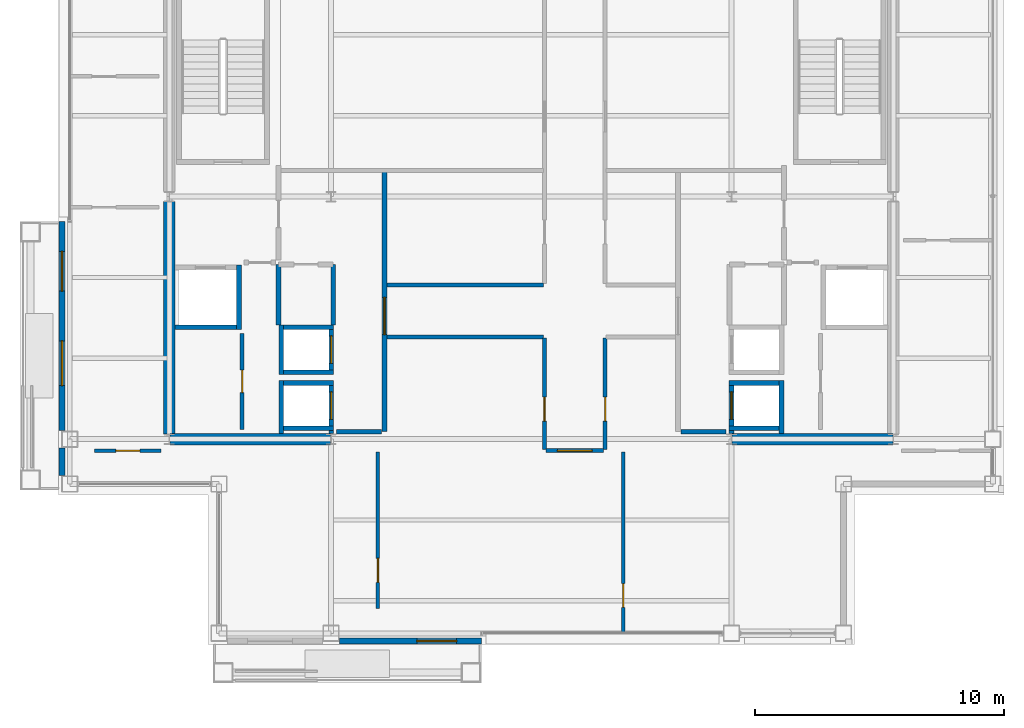
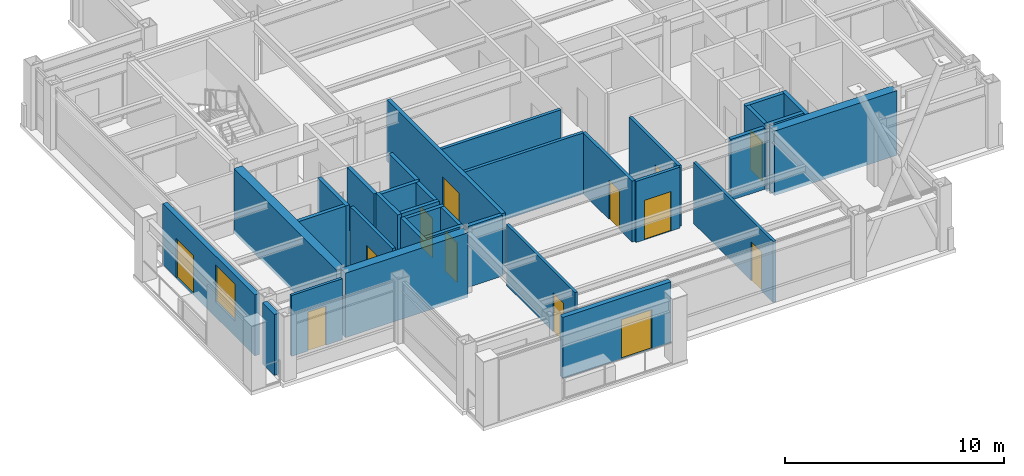
# One storey, part 21 of 26: 34 walls, 13 doors, 1 window, 14 openings.
"""IFC4 building model written with IfcOpenShell, lengths in metres."""

import ifcopenshell
import ifcopenshell.guid

model = None  # the IFC model being written
_history = None  # IfcOwnerHistory: only IFC2X3 demands one
_inside = {}  # id of a spatial element -> (the spatial element, [elements in it])
_under = {}  # id of a project, library or spatial element -> (it, [spatial elements below it])
_declared = {}  # id of a project -> (the project, [libraries it declares])
_typed = {}  # id of a type object -> (the type object, [elements of that type])
_made_of = {}  # id of a material, layer set ... -> (it, [elements and type objects made of it])


def new_model(schema):
    """Start an empty IFC model of exactly this schema.

    Asked for "IFC4X3", IfcOpenShell would pick the latest addendum, in which some entities
    have other attributes; the version numbers below select the first issue.
    IFC2X3 requires an IfcOwnerHistory on every rooted entity: one is made here for all.
    """
    global model, _history
    if schema == "IFC4X3":
        model = ifcopenshell.file(schema_version=(4, 3, 0, 0))
    else:
        model = ifcopenshell.file(schema=schema)
    _inside.clear()
    _under.clear()
    _declared.clear()
    _typed.clear()
    _made_of.clear()
    _history = None
    if model.schema == "IFC2X3":
        org = make("IfcOrganization", Name="unknown")
        user = make(
            "IfcPersonAndOrganization",
            ThePerson=make("IfcPerson", FamilyName="unknown"),
            TheOrganization=org,
        )
        app = make(
            "IfcApplication",
            ApplicationDeveloper=org,
            Version="unknown",
            ApplicationFullName="unknown",
            ApplicationIdentifier="unknown",
        )
        _history = make(
            "IfcOwnerHistory",
            OwningUser=user,
            OwningApplication=app,
            ChangeAction="ADDED",
            CreationDate=0,
        )
    return model


def make(cls, **values):
    """One entity of the class cls with the attributes given. An attribute that is None is left unset."""
    return model.create_entity(
        cls, **{name: value for name, value in values.items() if value is not None}
    )


def rooted(cls, **values):
    """An entity with a GlobalId (a new one), such as an element, a storey or a relation."""
    return make(cls, GlobalId=ifcopenshell.guid.new(), OwnerHistory=_history, **values)


def si_unit(unit_type, name, prefix=None):
    """IfcSIUnit, for example si_unit("LENGTHUNIT", "METRE", prefix="MILLI")."""
    return make("IfcSIUnit", UnitType=unit_type, Prefix=prefix, Name=name)


def assignment(units):
    """IfcUnitAssignment: the units of a project."""
    return None if units is None else make("IfcUnitAssignment", Units=units)


def point(xyz):
    """IfcCartesianPoint."""
    return None if xyz is None else make("IfcCartesianPoint", Coordinates=xyz)


def direction(xyz):
    """IfcDirection."""
    return None if xyz is None else make("IfcDirection", DirectionRatios=xyz)


def frame(location, z_axis=None, x_axis=None):
    """IfcAxis2Placement3D, a coordinate frame: its origin and axes. An axis left out is left unset."""
    return make(
        "IfcAxis2Placement3D",
        Location=point(location),
        Axis=direction(z_axis),
        RefDirection=direction(x_axis),
    )


def frame_2d(location, x_axis=None):
    """IfcAxis2Placement2D, a coordinate frame in the plane: its origin and x axis."""
    return make(
        "IfcAxis2Placement2D", Location=point(location), RefDirection=direction(x_axis)
    )


def origin():
    """The frame at (0, 0, 0) with its axes left unset."""
    return frame((0.0, 0.0, 0.0))


def place(relative_to, where):
    """IfcLocalPlacement: puts the frame where relative to a parent placement (None: the world)."""
    return make(
        "IfcLocalPlacement", PlacementRelTo=relative_to, RelativePlacement=where
    )


def context(
    kind, dimensions, precision=None, world=None, true_north=None, identifier=None
):
    """IfcGeometricRepresentationContext, for example the 3D "Model" context."""
    return make(
        "IfcGeometricRepresentationContext",
        ContextIdentifier=identifier,
        ContextType=kind,
        CoordinateSpaceDimension=dimensions,
        Precision=precision,
        WorldCoordinateSystem=world,
        TrueNorth=true_north,
    )


def subcontext(parent, identifier, kind, view, scale=None):
    """IfcGeometricRepresentationSubContext, for example "Body" below "Model"."""
    return make(
        "IfcGeometricRepresentationSubContext",
        ContextIdentifier=identifier,
        ContextType=kind,
        ParentContext=parent,
        TargetScale=scale,
        TargetView=view,
    )


def project(units=None, contexts=None):
    """IfcProject with its units and contexts."""
    return rooted(
        "IfcProject",
        Name="project",
        RepresentationContexts=contexts,
        UnitsInContext=assignment(units),
    )


def spatial(cls, under=None, at=None, **own):
    """A site, building, storey or space (cls), placed at a placement, below another one or the project."""
    s = rooted(cls, ObjectPlacement=at, **own)
    if under is not None:
        _under.setdefault(under.id(), (under, []))[1].append(s)
    return s


def profile(cls, at=None, kind="AREA", **sizes):
    """A parametric profile (cls). Its sizes go by their IFC names, for example OverallWidth=200.0."""
    return make(cls, ProfileType=kind, Position=at, **sizes)


def rectangle(**sizes):
    """IfcRectangleProfileDef."""
    return profile("IfcRectangleProfileDef", **sizes)


def extrude(swept, where, along, depth):
    """IfcExtrudedAreaSolid: the profile swept, set in the frame where, extruded along a direction by depth."""
    return make(
        "IfcExtrudedAreaSolid",
        SweptArea=swept,
        Position=where,
        ExtrudedDirection=direction(along),
        Depth=depth,
    )


def shape(context_of_items, identifier, shape_type, items):
    """IfcShapeRepresentation: the items that make up one representation, for example the "Body"."""
    return make(
        "IfcShapeRepresentation",
        ContextOfItems=context_of_items,
        RepresentationIdentifier=identifier,
        RepresentationType=shape_type,
        Items=items,
    )


def material(Name=None, Category=None):
    """IfcMaterial."""
    return make("IfcMaterial", Name=Name, Category=Category)


def layer(
    of_material, thickness, ventilated=None, Name=None, Category=None, Priority=None
):
    """IfcMaterialLayer: one layer of a wall or slab, of a material (None: an air gap)."""
    return make(
        "IfcMaterialLayer",
        Material=of_material,
        LayerThickness=thickness,
        IsVentilated=ventilated,
        Name=Name,
        Category=Category,
        Priority=Priority,
    )


def layer_set(layers, Name=None):
    """IfcMaterialLayerSet."""
    return make("IfcMaterialLayerSet", MaterialLayers=layers, LayerSetName=Name)


def made_of(thing, what):
    """Note that an element or type object is made of a material, layer set ...; save() writes the relation."""
    if what is not None:
        _made_of.setdefault(what.id(), (what, []))[1].append(thing)
    return thing


def type_object(cls, material=None, **own):
    """A type object (cls), such as IfcWallType, which elements share."""
    return made_of(rooted(cls, **own), material)


def element(
    cls,
    number,
    at=None,
    inside=None,
    cuts=None,
    type_object=None,
    material=None,
    context=None,
    identifier="Body",
    shape_type=None,
    held_by="IfcProductDefinitionShape",
    body=None,
    shapes=None,
    **own,
):
    """One element of the class cls, such as IfcWall. Its Tag is "e" and its number.

    at: its placement. inside: the storey or other place that contains it. cuts: it is an
    opening in that element (IfcRelVoidsElement). A single representation is given by context,
    identifier, shape_type and body (its items); several are given by shapes. held_by: the class
    of the entity that holds the representations. save() writes the other relations.
    """
    e = rooted(cls, Tag="e%d" % number, ObjectPlacement=at, **own)
    if body is not None:
        shapes = [shape(context, identifier, shape_type, body)]
    if shapes is not None:
        e.Representation = make(held_by, Representations=shapes)
    if inside is not None:
        _inside.setdefault(inside.id(), (inside, []))[1].append(e)
    if cuts is not None:
        rooted(
            "IfcRelVoidsElement", RelatingBuildingElement=cuts, RelatedOpeningElement=e
        )
    if type_object is not None:
        _typed.setdefault(type_object.id(), (type_object, []))[1].append(e)
    return made_of(e, material)


def fill(opening, filler):
    """IfcRelFillsElement: the door or window that sits in an opening."""
    return rooted(
        "IfcRelFillsElement",
        RelatingOpeningElement=opening,
        RelatedBuildingElement=filler,
    )


def aggregate(whole, parts):
    """IfcRelAggregates: a whole, such as a stair, and the parts it consists of."""
    return rooted("IfcRelAggregates", RelatingObject=whole, RelatedObjects=parts)


def save(model, path):
    """Write the relations noted so far, then the file.

    IfcRelAggregates (storeys below a building ...), IfcRelContainedInSpatialStructure (elements
    in a storey), IfcRelDefinesByType, IfcRelAssociatesMaterial and IfcRelDeclares: one each for
    every whole, place, type object, material and project.
    """
    for whole, parts in _under.values():
        aggregate(whole, parts)
    for where, things in _inside.values():
        rooted(
            "IfcRelContainedInSpatialStructure",
            RelatedElements=things,
            RelatingStructure=where,
        )
    for kind, things in _typed.values():
        rooted("IfcRelDefinesByType", RelatedObjects=things, RelatingType=kind)
    for what, things in _made_of.values():
        rooted("IfcRelAssociatesMaterial", RelatedObjects=things, RelatingMaterial=what)
    for by, libraries in _declared.values():
        rooted("IfcRelDeclares", RelatingContext=by, RelatedDefinitions=libraries)
    model.write(path)


model = new_model("IFC4")

# Units and contexts
model_context = context("Model", 3, precision=1e-05, world=origin(), true_north=direction((0.0, 1.0)))
body_context = subcontext(model_context, "Body", "Model", "MODEL_VIEW")
ifc_project = project(units=[si_unit("LENGTHUNIT", "METRE"), si_unit("AREAUNIT", "SQUARE_METRE"), si_unit("VOLUMEUNIT", "CUBIC_METRE"), si_unit("PLANEANGLEUNIT", "RADIAN"), si_unit("MASSUNIT", "GRAM", prefix="KILO")], contexts=[model_context])

# Site, building, storey
site_placement = place(None, origin())
site = spatial("IfcSite", under=ifc_project, at=site_placement, CompositionType="ELEMENT")
building_placement = place(site_placement, origin())
building = spatial("IfcBuilding", under=site, at=building_placement, Name="Brelmoor Portico Tower", CompositionType="ELEMENT")
storey_placement = place(building_placement, frame((0.0, 0.0, 247.199951171875)))
storey = spatial("IfcBuildingStorey", under=building, at=storey_placement, Name="L65", CompositionType="ELEMENT", Elevation=247.199951171875)

# Walls
ifc_material_1 = material(Name="Concrete C50", Category="concrete")
ifc_layer_1 = layer(ifc_material_1, 0.449951171875)
ifc_layer_set_1 = layer_set([ifc_layer_1], Name="Concrete C50")
wall_type_1 = type_object("IfcWallType", Name="WL-CORE-450", PredefinedType="SHEAR", material=ifc_layer_set_1)
wall_1_placement = place(storey_placement, frame((-14.530029296875, -9.75, -0.199951171875), z_axis=(0.0, 0.0, 1.0), x_axis=(1.0, 0.0, 0.0)))
element("IfcWall", 1, at=wall_1_placement, inside=storey, type_object=wall_type_1, Name="L65 WC South Shear Wall", PredefinedType="SHEAR", context=body_context, shape_type="SweptSolid", body=[
    extrude(rectangle(XDim=6.4599609375, YDim=0.449951171875, at=frame_2d((3.22998046875, 0.0))), origin(), (0.0, 0.0, 1.0), 3.60009765625),
])
wall_2_placement = place(storey_placement, frame((-14.550048828125, -9.550048828125, -0.199951171875), z_axis=(0.0, 0.0, 1.0), x_axis=(0.0, 1.0, 0.0)))
element("IfcWall", 2, at=wall_2_placement, inside=storey, type_object=wall_type_1, Name="L65 WC Outer South Shear Wall", PredefinedType="SHEAR", context=body_context, shape_type="SweptSolid", body=[
    extrude(rectangle(XDim=9.35009765625, YDim=0.449951171875, at=frame_2d((4.675048828125, 0.0))), origin(), (0.0, 0.0, 1.0), 3.60009765625),
])
wall_3_placement = place(storey_placement, frame((8.070068359375, -9.75, -0.199951171875), z_axis=(0.0, 0.0, 1.0), x_axis=(1.0, 0.0, 0.0)))
element("IfcWall", 3, at=wall_3_placement, inside=storey, type_object=wall_type_1, Name="L65 EC South Shear Wall", PredefinedType="SHEAR", context=body_context, shape_type="SweptSolid", body=[
    extrude(rectangle(XDim=6.4599609375, YDim=0.449951171875, at=frame_2d((3.22998046875, 0.0))), origin(), (0.0, 0.0, 1.0), 3.60009765625),
])

# Wall, opening, door
ifc_material_2 = material(Name="Precast Concrete C40 Insulated Facade Wall", Category="concrete")
ifc_layer_2 = layer(ifc_material_2, 0.25)
ifc_layer_set_2 = layer_set([ifc_layer_2], Name="Precast Concrete C40 Insulated Facade Wall")
wall_type_2 = type_object("IfcWallType", Name="WL-EXT-250", PredefinedType="STANDARD", material=ifc_layer_set_2)
wall_4_placement = place(storey_placement, frame((-7.705078125, -17.860107421875, 0.0), z_axis=(0.0, 0.0, 1.0), x_axis=(1.0, 0.0, 0.0)))
wall_4 = element("IfcWall", 4, at=wall_4_placement, inside=storey, type_object=wall_type_2, Name="L65 Loggia Threshold Wall S-2", PredefinedType="STANDARD", context=body_context, shape_type="SweptSolid", body=[
    extrude(rectangle(XDim=5.705078125, YDim=0.25, at=frame_2d((2.8525390625, 0.0))), origin(), (0.0, 0.0, 1.0), 3.400146484375),
])
opening_1_placement = place(wall_4_placement, frame((3.10498046875, 0.0, 0.0)))
opening_1 = element("IfcOpeningElement", 5, at=opening_1_placement, cuts=wall_4, Name="Opening D-TB1", PredefinedType="OPENING", context=body_context, shape_type="SweptSolid", body=[
    extrude(rectangle(XDim=1.60009765625, YDim=2.199951171875, at=frame_2d((0.800048828125, 1.10009765625))), frame((0.0, 0.135009765625, 0.0), z_axis=(0.0, -1.0, 0.0), x_axis=(1.0, 0.0, 0.0)), (0.0, 0.0, 1.0), 0.27001953125),
])
ifc_material_3 = material(Name="Double-Leaf Thermally Broken Terrace Door", Category="aluminium")
door_type_1 = type_object("IfcDoorType", Name="DR-BALCONY-1600", OperationType="NOTDEFINED", PredefinedType="DOOR", material=ifc_material_3)
door_1_placement = place(opening_1_placement, origin())
door_1 = element("IfcDoor", 6, at=door_1_placement, inside=storey, type_object=door_type_1, Name="D-2700 L65 Tree Balcony Double Door S", OperationType="DOUBLE_DOOR_SINGLE_SWING", OverallHeight=2.199951171875, OverallWidth=1.60009765625, PredefinedType="DOOR", context=body_context, shape_type="SweptSolid", body=[
    extrude(rectangle(XDim=1.60009765625, YDim=2.199951171875, at=frame_2d((0.800048828125, 1.10009765625))), frame((0.0, 0.02490234375, 0.0), z_axis=(0.0, -1.0, 0.0), x_axis=(1.0, 0.0, 0.0)), (0.0, 0.0, 1.0), 0.050048828125),
])
fill(opening_1, door_1)

# Wall
wall_5_placement = place(storey_placement, frame((-18.860107421875, -11.205078125, 0.0), z_axis=(0.0, 0.0, 1.0), x_axis=(0.0, 1.0, 0.0)))
element("IfcWall", 7, at=wall_5_placement, inside=storey, type_object=wall_type_2, Name="L65 Loggia Threshold Wall W-1", PredefinedType="STANDARD", context=body_context, shape_type="SweptSolid", body=[
    extrude(rectangle(XDim=1.110107421875, YDim=0.25, at=frame_2d((0.55517578125, 0.0))), origin(), (0.0, 0.0, 1.0), 3.400146484375),
])

# Wall, openings, door, window
wall_6_placement = place(storey_placement, frame((-18.860107421875, -9.405029296875, 0.0), z_axis=(0.0, 0.0, 1.0), x_axis=(0.0, 1.0, 0.0)))
wall_6 = element("IfcWall", 8, at=wall_6_placement, inside=storey, type_object=wall_type_2, Name="L65 Loggia Threshold Wall W-2", PredefinedType="STANDARD", context=body_context, shape_type="SweptSolid", body=[
    extrude(rectangle(XDim=8.405029296875, YDim=0.25, at=frame_2d((4.20263671875, 0.0))), origin(), (0.0, 0.0, 1.0), 3.400146484375),
])
opening_2_placement = place(wall_6_placement, frame((5.60498046875, 0.0, 0.0)))
opening_2 = element("IfcOpeningElement", 9, at=opening_2_placement, cuts=wall_6, Name="Opening D-TB1", PredefinedType="OPENING", context=body_context, shape_type="SweptSolid", body=[
    extrude(rectangle(XDim=1.60009765625, YDim=2.199951171875, at=frame_2d((0.800048828125, 1.10009765625))), frame((0.0, 0.135009765625, 0.0), z_axis=(0.0, -1.0, 0.0), x_axis=(1.0, 0.0, 0.0)), (0.0, 0.0, 1.0), 0.27001953125),
])
opening_3_placement = place(wall_6_placement, frame((1.804931640625, 0.0, 0.85009765625)))
opening_3 = element("IfcOpeningElement", 10, at=opening_3_placement, cuts=wall_6, Name="Opening W-03C", PredefinedType="OPENING", context=body_context, shape_type="SweptSolid", body=[
    extrude(rectangle(XDim=1.800048828125, YDim=2.050048828125, at=frame_2d((0.89990234375, 1.02490234375))), frame((0.0, 0.135009765625, 0.0), z_axis=(0.0, -1.0, 0.0), x_axis=(1.0, 0.0, 0.0)), (0.0, 0.0, 1.0), 0.27001953125),
])
door_2_placement = place(opening_2_placement, origin())
door_2 = element("IfcDoor", 11, at=door_2_placement, inside=storey, type_object=door_type_1, Name="D-2701 L65 Tree Balcony Double Door W", OperationType="DOUBLE_DOOR_SINGLE_SWING", OverallHeight=2.199951171875, OverallWidth=1.60009765625, PredefinedType="DOOR", context=body_context, shape_type="SweptSolid", body=[
    extrude(rectangle(XDim=1.60009765625, YDim=2.199951171875, at=frame_2d((0.800048828125, 1.10009765625))), frame((0.0, 0.02490234375, 0.0), z_axis=(0.0, -1.0, 0.0), x_axis=(1.0, 0.0, 0.0)), (0.0, 0.0, 1.0), 0.050048828125),
])
fill(opening_2, door_2)
ifc_material_4 = material(Name="Thermally Broken Aluminium Low-E Window", Category="aluminium")
window_type = type_object("IfcWindowType", Name="WN-LOGGIA-1800x2050", PartitioningType="SINGLE_PANEL", PredefinedType="WINDOW", material=ifc_material_4)
window_placement = place(opening_3_placement, origin())
window = element("IfcWindow", 12, at=window_placement, inside=storey, type_object=window_type, Name="L65 Loggia Window W", OverallHeight=2.050048828125, OverallWidth=1.800048828125, PartitioningType="SINGLE_PANEL", PredefinedType="WINDOW", context=body_context, shape_type="SweptSolid", body=[
    extrude(rectangle(XDim=1.800048828125, YDim=2.050048828125, at=frame_2d((0.89990234375, 1.02490234375))), frame((0.0, 0.030029296875, 0.0), z_axis=(0.0, -1.0, 0.0), x_axis=(1.0, 0.0, 0.0)), (0.0, 0.0, 1.0), 0.06005859375),
])
fill(opening_3, window)

# Wall, opening, door
ifc_material_5 = material(Name="Insulated Stud Suite Partition", Category="gypsum")
ifc_layer_3 = layer(ifc_material_5, 0.139892578125)
ifc_layer_set_3 = layer_set([ifc_layer_3], Name="Insulated Stud Suite Partition")
wall_type_3 = type_object("IfcWallType", Name="WL-PART-140", PredefinedType="PARTITIONING", material=ifc_layer_set_3)
wall_7_placement = place(storey_placement, frame((-6.161376953125, -16.550048828125, 0.0), z_axis=(0.0, 0.0, 1.0), x_axis=(0.0, 1.0, 0.0)))
wall_7 = element("IfcWall", 13, at=wall_7_placement, inside=storey, type_object=wall_type_3, Name="L65 South Suite Partition 1", PredefinedType="PARTITIONING", context=body_context, shape_type="SweptSolid", body=[
    extrude(rectangle(XDim=6.280029296875, YDim=0.139892578125, at=frame_2d((3.14013671875, 0.0))), origin(), (0.0, 0.0, 1.0), 3.400146484375),
])
opening_4_placement = place(wall_7_placement, frame((1.050048828125, 0.0, 0.0)))
opening_4 = element("IfcOpeningElement", 14, at=opening_4_placement, cuts=wall_7, Name="Opening D-IN2", PredefinedType="OPENING", context=body_context, shape_type="SweptSolid", body=[
    extrude(rectangle(XDim=0.9599609375, YDim=2.179931640625, at=frame_2d((0.47998046875, 1.08984375))), frame((0.0, 0.079833984375, 0.0), z_axis=(0.0, -1.0, 0.0), x_axis=(1.0, 0.0, 0.0)), (0.0, 0.0, 1.0), 0.159912109375),
])
ifc_material_6 = material(Name="Lacquered Timber Suite Door", Category="wood")
door_type_2 = type_object("IfcDoorType", Name="DR-INT-950", OperationType="NOTDEFINED", PredefinedType="DOOR", material=ifc_material_6)
door_3_placement = place(opening_4_placement, origin())
door_3 = element("IfcDoor", 15, at=door_3_placement, inside=storey, type_object=door_type_2, Name="D-2694 L65 South Suite Connecting Door 1", OperationType="SINGLE_SWING_RIGHT", OverallHeight=2.179931640625, OverallWidth=0.9599609375, PredefinedType="DOOR", context=body_context, shape_type="SweptSolid", body=[
    extrude(rectangle(XDim=0.9599609375, YDim=2.179931640625, at=frame_2d((0.47998046875, 1.08984375))), frame((0.0, 0.02490234375, 0.0), z_axis=(0.0, -1.0, 0.0), x_axis=(1.0, 0.0, 0.0)), (0.0, 0.0, 1.0), 0.050048828125),
])
fill(opening_4, door_3)

wall_8_placement = place(storey_placement, frame((3.697509765625, -17.56005859375, 0.0), z_axis=(0.0, 0.0, 1.0), x_axis=(0.0, 1.0, 0.0)))
wall_8 = element("IfcWall", 16, at=wall_8_placement, inside=storey, type_object=wall_type_3, Name="L65 South Suite Partition 2", PredefinedType="PARTITIONING", context=body_context, shape_type="SweptSolid", body=[
    extrude(rectangle(XDim=7.2900390625, YDim=0.139892578125, at=frame_2d((3.64501953125, 0.0))), origin(), (0.0, 0.0, 1.0), 3.400146484375),
])
opening_5_placement = place(wall_8_placement, frame((1.050048828125, 0.0, 0.0)))
opening_5 = element("IfcOpeningElement", 17, at=opening_5_placement, cuts=wall_8, Name="Opening D-IN2", PredefinedType="OPENING", context=body_context, shape_type="SweptSolid", body=[
    extrude(rectangle(XDim=0.9599609375, YDim=2.179931640625, at=frame_2d((0.47998046875, 1.08984375))), frame((0.0, 0.079833984375, 0.0), z_axis=(0.0, -1.0, 0.0), x_axis=(1.0, 0.0, 0.0)), (0.0, 0.0, 1.0), 0.159912109375),
])
door_4_placement = place(opening_5_placement, origin())
door_4 = element("IfcDoor", 18, at=door_4_placement, inside=storey, type_object=door_type_2, Name="D-2695 L65 South Suite Connecting Door 2", OperationType="SINGLE_SWING_LEFT", OverallHeight=2.179931640625, OverallWidth=0.9599609375, PredefinedType="DOOR", context=body_context, shape_type="SweptSolid", body=[
    extrude(rectangle(XDim=0.9599609375, YDim=2.179931640625, at=frame_2d((0.47998046875, 1.08984375))), frame((0.0, 0.02490234375, 0.0), z_axis=(0.0, -1.0, 0.0), x_axis=(1.0, 0.0, 0.0)), (0.0, 0.0, 1.0), 0.050048828125),
])
fill(opening_5, door_4)

wall_9_placement = place(storey_placement, frame((-17.550048828125, -10.2099609375, 0.0), z_axis=(0.0, 0.0, 1.0), x_axis=(1.0, 0.0, 0.0)))
wall_9 = element("IfcWall", 19, at=wall_9_placement, inside=storey, type_object=wall_type_3, Name="L65 South Wing Closure WL", PredefinedType="PARTITIONING", context=body_context, shape_type="SweptSolid", body=[
    extrude(rectangle(XDim=2.670166015625, YDim=0.139892578125, at=frame_2d((1.3349609375, 0.0))), origin(), (0.0, 0.0, 1.0), 3.400146484375),
])
opening_6_placement = place(wall_9_placement, frame((0.85498046875, 0.0, 0.0)))
opening_6 = element("IfcOpeningElement", 20, at=opening_6_placement, cuts=wall_9, Name="Opening D-IN2", PredefinedType="OPENING", context=body_context, shape_type="SweptSolid", body=[
    extrude(rectangle(XDim=0.9599609375, YDim=2.179931640625, at=frame_2d((0.47998046875, 1.08984375))), frame((0.0, 0.079833984375, 0.0), z_axis=(0.0, -1.0, 0.0), x_axis=(1.0, 0.0, 0.0)), (0.0, 0.0, 1.0), 0.159912109375),
])
door_5_placement = place(opening_6_placement, origin())
door_5 = element("IfcDoor", 21, at=door_5_placement, inside=storey, type_object=door_type_2, Name="D-2699 L65 WL Wing South Suite Door", OperationType="SINGLE_SWING_RIGHT", OverallHeight=2.179931640625, OverallWidth=0.9599609375, PredefinedType="DOOR", context=body_context, shape_type="SweptSolid", body=[
    extrude(rectangle(XDim=0.9599609375, YDim=2.179931640625, at=frame_2d((0.47998046875, 1.08984375))), frame((0.0, 0.02490234375, 0.0), z_axis=(0.0, -1.0, 0.0), x_axis=(1.0, 0.0, 0.0)), (0.0, 0.0, 1.0), 0.050048828125),
])
fill(opening_6, door_5)

ifc_material_7 = material(Name="Twin-Frame Acoustic Partition", Category="gypsum")
ifc_layer_4 = layer(ifc_material_7, 0.159912109375)
ifc_layer_set_4 = layer_set([ifc_layer_4], Name="Twin-Frame Acoustic Partition")
wall_type_4 = type_object("IfcWallType", Name="WL-PART-160", PredefinedType="PARTITIONING", material=ifc_layer_set_4)
wall_10_placement = place(storey_placement, frame((-11.6201171875, -9.35009765625, 0.0), z_axis=(0.0, 0.0, 1.0), x_axis=(0.0, 1.0, 0.0)))
wall_10 = element("IfcWall", 22, at=wall_10_placement, inside=storey, type_object=wall_type_4, Name="L65 W Core Service Front Wall", PredefinedType="PARTITIONING", context=body_context, shape_type="SweptSolid", body=[
    extrude(rectangle(XDim=3.85009765625, YDim=0.159912109375, at=frame_2d((1.925048828125, 0.0))), origin(), (0.0, 0.0, 1.0), 3.400146484375),
])
opening_7_placement = place(wall_10_placement, frame((1.47509765625, 0.0, 0.0)))
opening_7 = element("IfcOpeningElement", 23, at=opening_7_placement, cuts=wall_10, Name="Opening D-IN1", PredefinedType="OPENING", context=body_context, shape_type="SweptSolid", body=[
    extrude(rectangle(XDim=0.89990234375, YDim=2.14990234375, at=frame_2d((0.449951171875, 1.074951171875))), frame((0.0, 0.08984375, 0.0), z_axis=(0.0, -1.0, 0.0), x_axis=(1.0, 0.0, 0.0)), (0.0, 0.0, 1.0), 0.179931640625),
])
door_type_3 = type_object("IfcDoorType", Name="DR-INT-900", OperationType="NOTDEFINED", PredefinedType="DOOR", material=ifc_material_6)
door_6_placement = place(opening_7_placement, origin())
door_6 = element("IfcDoor", 24, at=door_6_placement, inside=storey, type_object=door_type_3, Name="D-2680 L65 W Accessible WC Door", OperationType="SINGLE_SWING_LEFT", OverallHeight=2.14990234375, OverallWidth=0.89990234375, PredefinedType="DOOR", context=body_context, shape_type="SweptSolid", body=[
    extrude(rectangle(XDim=0.89990234375, YDim=2.14990234375, at=frame_2d((0.449951171875, 1.074951171875))), frame((0.0, 0.02490234375, 0.0), z_axis=(0.0, -1.0, 0.0), x_axis=(1.0, 0.0, 0.0)), (0.0, 0.0, 1.0), 0.050048828125),
])
fill(opening_7, door_6)

# Wall
wall_11_placement = place(storey_placement, frame((-5.800048828125, -3.550048828125, 0.0), z_axis=(0.0, 0.0, 1.0), x_axis=(1.0, 0.0, 0.0)))
element("IfcWall", 25, at=wall_11_placement, inside=storey, type_object=wall_type_4, Name="L65 West Pantry South Wall", PredefinedType="PARTITIONING", context=body_context, shape_type="SweptSolid", body=[
    extrude(rectangle(XDim=6.2900390625, YDim=0.159912109375, at=frame_2d((3.14501953125, 0.0))), origin(), (0.0, 0.0, 1.0), 3.400146484375),
])

# Wall, opening, door
wall_12_placement = place(storey_placement, frame((0.530029296875, -10.169921875, 0.0), z_axis=(0.0, 0.0, 1.0), x_axis=(0.0, 1.0, 0.0)))
wall_12 = element("IfcWall", 26, at=wall_12_placement, inside=storey, type_object=wall_type_4, Name="L65 South Cross West Wall", PredefinedType="PARTITIONING", context=body_context, shape_type="SweptSolid", body=[
    extrude(rectangle(XDim=4.489990234375, YDim=0.159912109375, at=frame_2d((2.2451171875, 0.0))), origin(), (0.0, 0.0, 1.0), 3.400146484375),
])
opening_8_placement = place(wall_12_placement, frame((1.14990234375, 0.0, 0.0)))
opening_8 = element("IfcOpeningElement", 27, at=opening_8_placement, cuts=wall_12, Name="Opening D-IN2", PredefinedType="OPENING", context=body_context, shape_type="SweptSolid", body=[
    extrude(rectangle(XDim=0.9599609375, YDim=2.179931640625, at=frame_2d((0.47998046875, 1.08984375))), frame((0.0, 0.08984375, 0.0), z_axis=(0.0, -1.0, 0.0), x_axis=(1.0, 0.0, 0.0)), (0.0, 0.0, 1.0), 0.179931640625),
])
door_7_placement = place(opening_8_placement, origin())
door_7 = element("IfcDoor", 28, at=door_7_placement, inside=storey, type_object=door_type_2, Name="D-2674 L65 South-West Archive Room Door", OperationType="SINGLE_SWING_RIGHT", OverallHeight=2.179931640625, OverallWidth=0.9599609375, PredefinedType="DOOR", context=body_context, shape_type="SweptSolid", body=[
    extrude(rectangle(XDim=0.9599609375, YDim=2.179931640625, at=frame_2d((0.47998046875, 1.08984375))), frame((0.0, 0.02490234375, 0.0), z_axis=(0.0, -1.0, 0.0), x_axis=(1.0, 0.0, 0.0)), (0.0, 0.0, 1.0), 0.050048828125),
])
fill(opening_8, door_7)

wall_13_placement = place(storey_placement, frame((2.969970703125, -10.169921875, 0.0), z_axis=(0.0, 0.0, 1.0), x_axis=(0.0, 1.0, 0.0)))
wall_13 = element("IfcWall", 29, at=wall_13_placement, inside=storey, type_object=wall_type_4, Name="L65 South Cross East Wall", PredefinedType="PARTITIONING", context=body_context, shape_type="SweptSolid", body=[
    extrude(rectangle(XDim=4.489990234375, YDim=0.159912109375, at=frame_2d((2.2451171875, 0.0))), origin(), (0.0, 0.0, 1.0), 3.400146484375),
])
opening_9_placement = place(wall_13_placement, frame((1.14990234375, 0.0, 0.0)))
opening_9 = element("IfcOpeningElement", 30, at=opening_9_placement, cuts=wall_13, Name="Opening D-IN2", PredefinedType="OPENING", context=body_context, shape_type="SweptSolid", body=[
    extrude(rectangle(XDim=0.9599609375, YDim=2.179931640625, at=frame_2d((0.47998046875, 1.08984375))), frame((0.0, 0.08984375, 0.0), z_axis=(0.0, -1.0, 0.0), x_axis=(1.0, 0.0, 0.0)), (0.0, 0.0, 1.0), 0.179931640625),
])
door_8_placement = place(opening_9_placement, origin())
door_8 = element("IfcDoor", 31, at=door_8_placement, inside=storey, type_object=door_type_2, Name="D-2673 L65 South-East Partner Office Door", OperationType="SINGLE_SWING_LEFT", OverallHeight=2.179931640625, OverallWidth=0.9599609375, PredefinedType="DOOR", context=body_context, shape_type="SweptSolid", body=[
    extrude(rectangle(XDim=0.9599609375, YDim=2.179931640625, at=frame_2d((0.47998046875, 1.08984375))), frame((0.0, 0.02490234375, 0.0), z_axis=(0.0, -1.0, 0.0), x_axis=(1.0, 0.0, 0.0)), (0.0, 0.0, 1.0), 0.050048828125),
])
fill(opening_9, door_8)

# Wall
wall_14_placement = place(storey_placement, frame((-5.800048828125, -5.64990234375, 0.0), z_axis=(0.0, 0.0, 1.0), x_axis=(1.0, 0.0, 0.0)))
element("IfcWall", 32, at=wall_14_placement, inside=storey, type_object=wall_type_4, Name="L65 South-West Chamber Top Wall", PredefinedType="PARTITIONING", context=body_context, shape_type="SweptSolid", body=[
    extrude(rectangle(XDim=6.2900390625, YDim=0.159912109375, at=frame_2d((3.14501953125, 0.0))), origin(), (0.0, 0.0, 1.0), 3.400146484375),
])

# Wall, opening, door
wall_15_placement = place(storey_placement, frame((0.60009765625, -10.2099609375, 0.0), z_axis=(0.0, 0.0, 1.0), x_axis=(1.0, 0.0, 0.0)))
wall_15 = element("IfcWall", 33, at=wall_15_placement, inside=storey, type_object=wall_type_4, Name="L65 South Corridor Partition", PredefinedType="PARTITIONING", context=body_context, shape_type="SweptSolid", body=[
    extrude(rectangle(XDim=2.2998046875, YDim=0.159912109375, at=frame_2d((1.14990234375, 0.0))), origin(), (0.0, 0.0, 1.0), 3.400146484375),
])
opening_10_placement = place(wall_15_placement, frame((0.449951171875, 0.0, 0.0)))
opening_10 = element("IfcOpeningElement", 34, at=opening_10_placement, cuts=wall_15, Name="Opening D-SU2", PredefinedType="OPENING", context=body_context, shape_type="SweptSolid", body=[
    extrude(rectangle(XDim=1.39990234375, YDim=2.199951171875, at=frame_2d((0.699951171875, 1.10009765625))), frame((0.0, 0.08984375, 0.0), z_axis=(0.0, -1.0, 0.0), x_axis=(1.0, 0.0, 0.0)), (0.0, 0.0, 1.0), 0.179931640625),
])
ifc_material_8 = material(Name="Double-Leaf Acoustic Suite Door", Category="timber")
door_type_4 = type_object("IfcDoorType", Name="DR-SUITE-1400", OperationType="NOTDEFINED", PredefinedType="DOOR", material=ifc_material_8)
door_9_placement = place(opening_10_placement, origin())
door_9 = element("IfcDoor", 35, at=door_9_placement, inside=storey, type_object=door_type_4, Name="D-2693 L65 South Design Workshop 2 Door", OperationType="DOUBLE_DOOR_SINGLE_SWING", OverallHeight=2.199951171875, OverallWidth=1.39990234375, PredefinedType="DOOR", context=body_context, shape_type="SweptSolid", body=[
    extrude(rectangle(XDim=1.39990234375, YDim=2.199951171875, at=frame_2d((0.699951171875, 1.10009765625))), frame((0.0, 0.02490234375, 0.0), z_axis=(0.0, -1.0, 0.0), x_axis=(1.0, 0.0, 0.0)), (0.0, 0.0, 1.0), 0.050048828125),
])
fill(opening_10, door_9)

ifc_material_9 = material(Name="Double-Stud Gypsum Fire Partition", Category="gypsum")
ifc_layer_5 = layer(ifc_material_9, 0.199951171875)
ifc_layer_set_5 = layer_set([ifc_layer_5], Name="Double-Stud Gypsum Fire Partition")
wall_type_5 = type_object("IfcWallType", Name="WL-PART-200", PredefinedType="PARTITIONING", material=ifc_layer_set_5)
wall_16_placement = place(storey_placement, frame((-5.89990234375, -9.449951171875, 0.0), z_axis=(0.0, 0.0, 1.0), x_axis=(0.0, 1.0, 0.0)))
wall_16 = element("IfcWall", 36, at=wall_16_placement, inside=storey, type_object=wall_type_5, Name="L65 W Core Lobby Compartment Wall", PredefinedType="PARTITIONING", context=body_context, shape_type="SweptSolid", body=[
    extrude(rectangle(XDim=10.5, YDim=0.199951171875, at=frame_2d((5.25, 0.0))), origin(), (0.0, 0.0, 1.0), 3.400146484375),
])
opening_11_placement = place(wall_16_placement, frame((3.89990234375, 0.0, 0.0)))
opening_11 = element("IfcOpeningElement", 37, at=opening_11_placement, cuts=wall_16, Name="Opening D-LB1", PredefinedType="OPENING", context=body_context, shape_type="SweptSolid", body=[
    extrude(rectangle(XDim=1.5, YDim=2.199951171875, at=frame_2d((0.75, 1.10009765625))), frame((0.0, 0.10986328125, 0.0), z_axis=(0.0, -1.0, 0.0), x_axis=(1.0, 0.0, 0.0)), (0.0, 0.0, 1.0), 0.219970703125),
])
ifc_material_10 = material(Name="Double-Leaf Glazed Steel Fire Door", Category="steel")
door_type_5 = type_object("IfcDoorType", Name="DR-LOBBY-1500", OperationType="NOTDEFINED", PredefinedType="DOOR", material=ifc_material_10)
door_10_placement = place(opening_11_placement, origin())
door_10 = element("IfcDoor", 38, at=door_10_placement, inside=storey, type_object=door_type_5, Name="D-2686 L65 W Lift Lobby Main Door", OperationType="DOUBLE_DOOR_SINGLE_SWING", OverallHeight=2.199951171875, OverallWidth=1.5, PredefinedType="DOOR", context=body_context, shape_type="SweptSolid", body=[
    extrude(rectangle(XDim=1.5, YDim=2.199951171875, at=frame_2d((0.75, 1.10009765625))), frame((0.0, 0.02490234375, 0.0), z_axis=(0.0, -1.0, 0.0), x_axis=(1.0, 0.0, 0.0)), (0.0, 0.0, 1.0), 0.050048828125),
])
fill(opening_11, door_10)

# Walls
wall_17_placement = place(storey_placement, frame((-6.02001953125, -9.449951171875, 0.0), z_axis=(0.0, 0.0, 1.0), x_axis=(-1.0, 0.0, 0.0)))
element("IfcWall", 39, at=wall_17_placement, inside=storey, type_object=wall_type_5, Name="L65 W Lift Lobby South End Wall", PredefinedType="PARTITIONING", context=body_context, shape_type="SweptSolid", body=[
    extrude(rectangle(XDim=1.800048828125, YDim=0.199951171875, at=frame_2d((0.89990234375, 0.0))), origin(), (0.0, 0.0, 1.0), 3.400146484375),
])
for number, where, z_axis, x_axis, name in (
    (40, (-7.9599609375, -5.159912109375, 0.0), (0.0, 0.0, 1.0), (0.0, 1.0, 0.0), "L65 W Electrical Switchgear Closet Inner Wall"),
    (41, (-10.159912109375, -5.159912109375, 0.0), (0.0, 0.0, 1.0), (0.0, 1.0, 0.0), "L65 W Electrical Switchgear Closet Outer Wall"),
):
    element("IfcWall", number, at=place(storey_placement, frame(where, z_axis=z_axis, x_axis=x_axis)), inside=storey, type_object=wall_type_5, Name=name, PredefinedType="PARTITIONING", context=body_context, shape_type="SweptSolid", body=[
        extrude(rectangle(XDim=2.43994140625, YDim=0.199951171875, at=frame_2d((1.219970703125, 0.0))), origin(), (0.0, 0.0, 1.0), 3.400146484375),
    ])
wall_18_placement = place(storey_placement, frame((6.02001953125, -9.449951171875, 0.0), z_axis=(0.0, 0.0, 1.0), x_axis=(1.0, 0.0, 0.0)))
element("IfcWall", 42, at=wall_18_placement, inside=storey, type_object=wall_type_5, Name="L65 E Lift Lobby South End Wall", PredefinedType="PARTITIONING", context=body_context, shape_type="SweptSolid", body=[
    extrude(rectangle(XDim=1.800048828125, YDim=0.199951171875, at=frame_2d((0.89990234375, 0.0))), origin(), (0.0, 0.0, 1.0), 3.400146484375),
])

# Wall, opening, door
ifc_material_11 = material(Name="Precast Concrete C40", Category="concrete")
ifc_layer_6 = layer(ifc_material_11, 0.18994140625)
ifc_layer_set_6 = layer_set([ifc_layer_6], Name="Precast Concrete C40")
wall_type_6 = type_object("IfcWallType", Name="WL-SHAFT-180", PredefinedType="SOLIDWALL", material=ifc_layer_set_6)
wall_19_placement = place(storey_placement, frame((-8.044921875, -9.52001953125, -0.199951171875), z_axis=(0.0, 0.0, 1.0), x_axis=(0.0, 1.0, 0.0)))
wall_19 = element("IfcWall", 43, at=wall_19_placement, inside=storey, type_object=wall_type_6, Name="L65 Lift PH1 Hoistway Front Wall", PredefinedType="SOLIDWALL", context=body_context, shape_type="SweptSolid", body=[
    extrude(rectangle(XDim=2.1201171875, YDim=0.18994140625, at=frame_2d((1.06005859375, 0.0))), origin(), (0.0, 0.0, 1.0), 3.60009765625),
])
opening_12_placement = place(wall_19_placement, frame((0.570068359375, 0.0, 0.199951171875)))
opening_12 = element("IfcOpeningElement", 44, at=opening_12_placement, cuts=wall_19, Name="Opening LD-01", PredefinedType="OPENING", context=body_context, shape_type="SweptSolid", body=[
    extrude(rectangle(XDim=1.10009765625, YDim=2.199951171875, at=frame_2d((0.550048828125, 1.10009765625))), frame((0.0, 0.10498046875, 0.0), z_axis=(0.0, -1.0, 0.0), x_axis=(1.0, 0.0, 0.0)), (0.0, 0.0, 1.0), 0.2099609375),
])
ifc_material_12 = material(Name="Brushed Stainless Steel Sliding Lift Door", Category="steel")
door_type_6 = type_object("IfcDoorType", Name="DR-LIFT-1100", OperationType="NOTDEFINED", PredefinedType="DOOR", material=ifc_material_12)
door_11_placement = place(opening_12_placement, origin())
door_11 = element("IfcDoor", 45, at=door_11_placement, inside=storey, type_object=door_type_6, Name="D-2707 L65 Lift PH1 Sliding Landing Door", OperationType="SLIDING_TO_LEFT", OverallHeight=2.199951171875, OverallWidth=1.10009765625, PredefinedType="DOOR", context=body_context, shape_type="SweptSolid", body=[
    extrude(rectangle(XDim=1.10009765625, YDim=2.199951171875, at=frame_2d((0.550048828125, 1.10009765625))), frame((0.0, 0.02490234375, 0.0), z_axis=(0.0, -1.0, 0.0), x_axis=(1.0, 0.0, 0.0)), (0.0, 0.0, 1.0), 0.050048828125),
])
fill(opening_12, door_11)

# Walls
wall_20_placement = place(storey_placement, frame((-10.054931640625, -9.52001953125, -0.199951171875), z_axis=(0.0, 0.0, 1.0), x_axis=(0.0, 1.0, 0.0)))
element("IfcWall", 46, at=wall_20_placement, inside=storey, type_object=wall_type_6, Name="L65 Lift PH1 Hoistway Back Wall", PredefinedType="SOLIDWALL", context=body_context, shape_type="SweptSolid", body=[
    extrude(rectangle(XDim=2.1201171875, YDim=0.18994140625, at=frame_2d((1.06005859375, 0.0))), origin(), (0.0, 0.0, 1.0), 3.60009765625),
])
for number, where, z_axis, x_axis, name in (
    (47, (-10.14990234375, -7.4951171875, -0.199951171875), (0.0, 0.0, 1.0), (1.0, 0.0, 0.0), "L65 Lift PH1 Hoistway North Wall"),
    (48, (-10.14990234375, -9.304931640625, -0.199951171875), (0.0, 0.0, 1.0), (1.0, 0.0, 0.0), "L65 Lift PH1 Hoistway South Wall"),
):
    element("IfcWall", number, at=place(storey_placement, frame(where, z_axis=z_axis, x_axis=x_axis)), inside=storey, type_object=wall_type_6, Name=name, PredefinedType="SOLIDWALL", context=body_context, shape_type="SweptSolid", body=[
        extrude(rectangle(XDim=2.199951171875, YDim=0.18994140625, at=frame_2d((1.10009765625, 0.0))), origin(), (0.0, 0.0, 1.0), 3.60009765625),
    ])

# Wall, opening, door
wall_21_placement = place(storey_placement, frame((-8.044921875, -7.14990234375, -0.199951171875), z_axis=(0.0, 0.0, 1.0), x_axis=(0.0, 1.0, 0.0)))
wall_21 = element("IfcWall", 49, at=wall_21_placement, inside=storey, type_object=wall_type_6, Name="L65 Lift PH2 Hoistway Front Wall", PredefinedType="SOLIDWALL", context=body_context, shape_type="SweptSolid", body=[
    extrude(rectangle(XDim=2.0, YDim=0.18994140625, at=frame_2d((1.0, 0.0))), origin(), (0.0, 0.0, 1.0), 3.60009765625),
])
opening_13_placement = place(wall_21_placement, frame((0.449951171875, 0.0, 0.199951171875)))
opening_13 = element("IfcOpeningElement", 50, at=opening_13_placement, cuts=wall_21, Name="Opening LD-01", PredefinedType="OPENING", context=body_context, shape_type="SweptSolid", body=[
    extrude(rectangle(XDim=1.10009765625, YDim=2.199951171875, at=frame_2d((0.550048828125, 1.10009765625))), frame((0.0, 0.10498046875, 0.0), z_axis=(0.0, -1.0, 0.0), x_axis=(1.0, 0.0, 0.0)), (0.0, 0.0, 1.0), 0.2099609375),
])
door_12_placement = place(opening_13_placement, origin())
door_12 = element("IfcDoor", 51, at=door_12_placement, inside=storey, type_object=door_type_6, Name="D-2708 L65 Lift PH2 Sliding Landing Door", OperationType="SLIDING_TO_LEFT", OverallHeight=2.199951171875, OverallWidth=1.10009765625, PredefinedType="DOOR", context=body_context, shape_type="SweptSolid", body=[
    extrude(rectangle(XDim=1.10009765625, YDim=2.199951171875, at=frame_2d((0.550048828125, 1.10009765625))), frame((0.0, 0.02490234375, 0.0), z_axis=(0.0, -1.0, 0.0), x_axis=(1.0, 0.0, 0.0)), (0.0, 0.0, 1.0), 0.050048828125),
])
fill(opening_13, door_12)

# Walls
wall_22_placement = place(storey_placement, frame((-10.054931640625, -7.14990234375, -0.199951171875), z_axis=(0.0, 0.0, 1.0), x_axis=(0.0, 1.0, 0.0)))
element("IfcWall", 52, at=wall_22_placement, inside=storey, type_object=wall_type_6, Name="L65 Lift PH2 Hoistway Back Wall", PredefinedType="SOLIDWALL", context=body_context, shape_type="SweptSolid", body=[
    extrude(rectangle(XDim=2.0, YDim=0.18994140625, at=frame_2d((1.0, 0.0))), origin(), (0.0, 0.0, 1.0), 3.60009765625),
])
for number, where, z_axis, x_axis, name in (
    (53, (-10.14990234375, -5.2451171875, -0.199951171875), (0.0, 0.0, 1.0), (1.0, 0.0, 0.0), "L65 Lift PH2 Hoistway North Wall"),
    (54, (-10.14990234375, -7.054931640625, -0.199951171875), (0.0, 0.0, 1.0), (1.0, 0.0, 0.0), "L65 Lift PH2 Hoistway South Wall"),
):
    element("IfcWall", number, at=place(storey_placement, frame(where, z_axis=z_axis, x_axis=x_axis)), inside=storey, type_object=wall_type_6, Name=name, PredefinedType="SOLIDWALL", context=body_context, shape_type="SweptSolid", body=[
        extrude(rectangle(XDim=2.199951171875, YDim=0.18994140625, at=frame_2d((1.10009765625, 0.0))), origin(), (0.0, 0.0, 1.0), 3.60009765625),
    ])

# Wall, opening, door
wall_23_placement = place(storey_placement, frame((8.044921875, -9.52001953125, -0.199951171875), z_axis=(0.0, 0.0, 1.0), x_axis=(0.0, 1.0, 0.0)))
wall_23 = element("IfcWall", 55, at=wall_23_placement, inside=storey, type_object=wall_type_6, Name="L65 Lift PH3 Hoistway Front Wall", PredefinedType="SOLIDWALL", context=body_context, shape_type="SweptSolid", body=[
    extrude(rectangle(XDim=2.1201171875, YDim=0.18994140625, at=frame_2d((1.06005859375, 0.0))), origin(), (0.0, 0.0, 1.0), 3.60009765625),
])
opening_14_placement = place(wall_23_placement, frame((0.570068359375, 0.0, 0.199951171875)))
opening_14 = element("IfcOpeningElement", 56, at=opening_14_placement, cuts=wall_23, Name="Opening LD-01", PredefinedType="OPENING", context=body_context, shape_type="SweptSolid", body=[
    extrude(rectangle(XDim=1.10009765625, YDim=2.199951171875, at=frame_2d((0.550048828125, 1.10009765625))), frame((0.0, 0.10498046875, 0.0), z_axis=(0.0, -1.0, 0.0), x_axis=(1.0, 0.0, 0.0)), (0.0, 0.0, 1.0), 0.2099609375),
])
door_13_placement = place(opening_14_placement, origin())
door_13 = element("IfcDoor", 57, at=door_13_placement, inside=storey, type_object=door_type_6, Name="D-2709 L65 Lift PH3 Sliding Landing Door", OperationType="SLIDING_TO_LEFT", OverallHeight=2.199951171875, OverallWidth=1.10009765625, PredefinedType="DOOR", context=body_context, shape_type="SweptSolid", body=[
    extrude(rectangle(XDim=1.10009765625, YDim=2.199951171875, at=frame_2d((0.550048828125, 1.10009765625))), frame((0.0, 0.02490234375, 0.0), z_axis=(0.0, -1.0, 0.0), x_axis=(1.0, 0.0, 0.0)), (0.0, 0.0, 1.0), 0.050048828125),
])
fill(opening_14, door_13)

# Walls
wall_24_placement = place(storey_placement, frame((10.054931640625, -9.52001953125, -0.199951171875), z_axis=(0.0, 0.0, 1.0), x_axis=(0.0, 1.0, 0.0)))
element("IfcWall", 58, at=wall_24_placement, inside=storey, type_object=wall_type_6, Name="L65 Lift PH3 Hoistway Back Wall", PredefinedType="SOLIDWALL", context=body_context, shape_type="SweptSolid", body=[
    extrude(rectangle(XDim=2.1201171875, YDim=0.18994140625, at=frame_2d((1.06005859375, 0.0))), origin(), (0.0, 0.0, 1.0), 3.60009765625),
])
for number, where, z_axis, x_axis, name in (
    (59, (7.949951171875, -7.4951171875, -0.199951171875), (0.0, 0.0, 1.0), (1.0, 0.0, 0.0), "L65 Lift PH3 Hoistway North Wall"),
    (60, (7.949951171875, -9.304931640625, -0.199951171875), (0.0, 0.0, 1.0), (1.0, 0.0, 0.0), "L65 Lift PH3 Hoistway South Wall"),
):
    element("IfcWall", number, at=place(storey_placement, frame(where, z_axis=z_axis, x_axis=x_axis)), inside=storey, type_object=wall_type_6, Name=name, PredefinedType="SOLIDWALL", context=body_context, shape_type="SweptSolid", body=[
        extrude(rectangle(XDim=2.199951171875, YDim=0.18994140625, at=frame_2d((1.10009765625, 0.0))), origin(), (0.0, 0.0, 1.0), 3.60009765625),
    ])
wall_25_placement = place(storey_placement, frame((-14.330078125, -5.2548828125, -0.199951171875), z_axis=(0.0, 0.0, 1.0), x_axis=(1.0, 0.0, 0.0)))
element("IfcWall", 61, at=wall_25_placement, inside=storey, type_object=wall_type_6, Name="L65 Firefighting Lift FF1 South Wall", PredefinedType="SOLIDWALL", context=body_context, shape_type="SweptSolid", body=[
    extrude(rectangle(XDim=2.68017578125, YDim=0.18994140625, at=frame_2d((1.340087890625, 0.0))), origin(), (0.0, 0.0, 1.0), 3.60009765625),
])
wall_26_placement = place(storey_placement, frame((-11.7451171875, -5.35009765625, -0.199951171875), z_axis=(0.0, 0.0, 1.0), x_axis=(0.0, 1.0, 0.0)))
element("IfcWall", 62, at=wall_26_placement, inside=storey, type_object=wall_type_6, Name="L65 Firefighting Lift FF1 Inner Wall", PredefinedType="SOLIDWALL", context=body_context, shape_type="SweptSolid", body=[
    extrude(rectangle(XDim=2.60009765625, YDim=0.18994140625, at=frame_2d((1.300048828125, 0.0))), origin(), (0.0, 0.0, 1.0), 3.60009765625),
])

save(model, "model.ifc")
